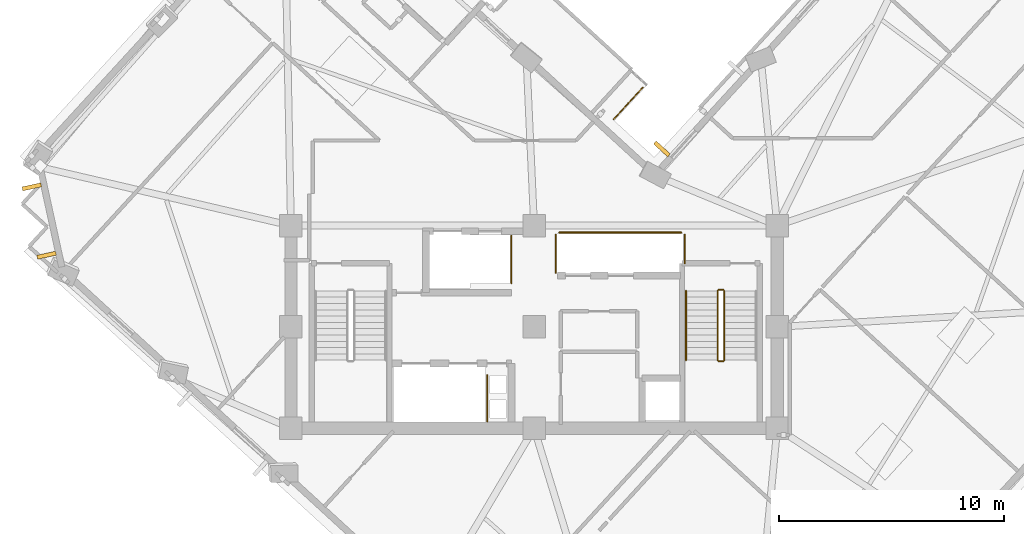
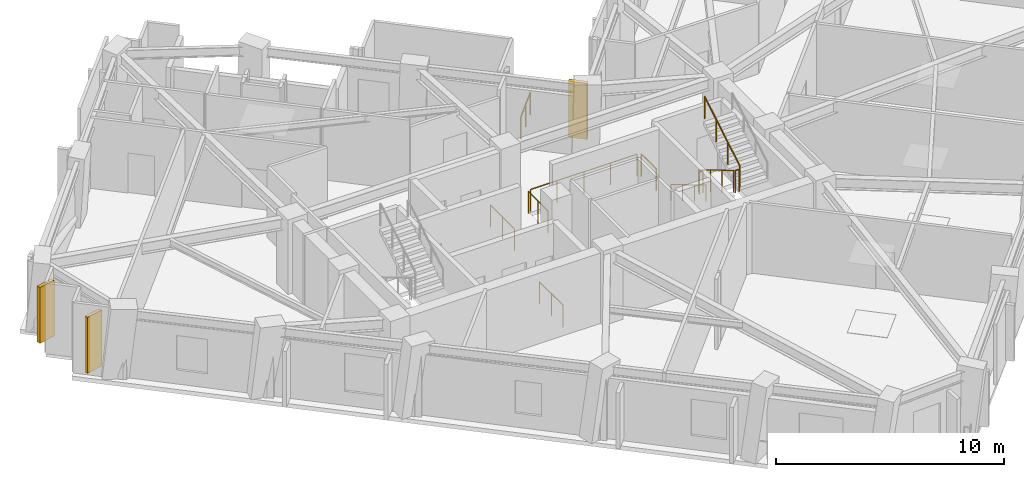
# One storey, part 10 of 12: 11 railings, 3 shading devices.
"""IFC4 building model written with IfcOpenShell, lengths in metres."""

import ifcopenshell
import ifcopenshell.guid

model = None  # the IFC model being written
_history = None  # IfcOwnerHistory: only IFC2X3 demands one
_inside = {}  # id of a spatial element -> (the spatial element, [elements in it])
_under = {}  # id of a project, library or spatial element -> (it, [spatial elements below it])
_declared = {}  # id of a project -> (the project, [libraries it declares])
_typed = {}  # id of a type object -> (the type object, [elements of that type])
_made_of = {}  # id of a material, layer set ... -> (it, [elements and type objects made of it])


def new_model(schema):
    """Start an empty IFC model of exactly this schema.

    Asked for "IFC4X3", IfcOpenShell would pick the latest addendum, in which some entities
    have other attributes; the version numbers below select the first issue.
    IFC2X3 requires an IfcOwnerHistory on every rooted entity: one is made here for all.
    """
    global model, _history
    if schema == "IFC4X3":
        model = ifcopenshell.file(schema_version=(4, 3, 0, 0))
    else:
        model = ifcopenshell.file(schema=schema)
    _inside.clear()
    _under.clear()
    _declared.clear()
    _typed.clear()
    _made_of.clear()
    _history = None
    if model.schema == "IFC2X3":
        org = make("IfcOrganization", Name="unknown")
        user = make(
            "IfcPersonAndOrganization",
            ThePerson=make("IfcPerson", FamilyName="unknown"),
            TheOrganization=org,
        )
        app = make(
            "IfcApplication",
            ApplicationDeveloper=org,
            Version="unknown",
            ApplicationFullName="unknown",
            ApplicationIdentifier="unknown",
        )
        _history = make(
            "IfcOwnerHistory",
            OwningUser=user,
            OwningApplication=app,
            ChangeAction="ADDED",
            CreationDate=0,
        )
    return model


def make(cls, **values):
    """One entity of the class cls with the attributes given. An attribute that is None is left unset."""
    return model.create_entity(
        cls, **{name: value for name, value in values.items() if value is not None}
    )


def rooted(cls, **values):
    """An entity with a GlobalId (a new one), such as an element, a storey or a relation."""
    return make(cls, GlobalId=ifcopenshell.guid.new(), OwnerHistory=_history, **values)


def si_unit(unit_type, name, prefix=None):
    """IfcSIUnit, for example si_unit("LENGTHUNIT", "METRE", prefix="MILLI")."""
    return make("IfcSIUnit", UnitType=unit_type, Prefix=prefix, Name=name)


def assignment(units):
    """IfcUnitAssignment: the units of a project."""
    return None if units is None else make("IfcUnitAssignment", Units=units)


def point(xyz):
    """IfcCartesianPoint."""
    return None if xyz is None else make("IfcCartesianPoint", Coordinates=xyz)


def direction(xyz):
    """IfcDirection."""
    return None if xyz is None else make("IfcDirection", DirectionRatios=xyz)


def frame(location, z_axis=None, x_axis=None):
    """IfcAxis2Placement3D, a coordinate frame: its origin and axes. An axis left out is left unset."""
    return make(
        "IfcAxis2Placement3D",
        Location=point(location),
        Axis=direction(z_axis),
        RefDirection=direction(x_axis),
    )


def frame_2d(location, x_axis=None):
    """IfcAxis2Placement2D, a coordinate frame in the plane: its origin and x axis."""
    return make(
        "IfcAxis2Placement2D", Location=point(location), RefDirection=direction(x_axis)
    )


def origin():
    """The frame at (0, 0, 0) with its axes left unset."""
    return frame((0.0, 0.0, 0.0))


def origin_2d():
    """The frame at (0, 0) in the plane with its x axis left unset."""
    return frame_2d((0.0, 0.0))


def place(relative_to, where):
    """IfcLocalPlacement: puts the frame where relative to a parent placement (None: the world)."""
    return make(
        "IfcLocalPlacement", PlacementRelTo=relative_to, RelativePlacement=where
    )


def context(
    kind, dimensions, precision=None, world=None, true_north=None, identifier=None
):
    """IfcGeometricRepresentationContext, for example the 3D "Model" context."""
    return make(
        "IfcGeometricRepresentationContext",
        ContextIdentifier=identifier,
        ContextType=kind,
        CoordinateSpaceDimension=dimensions,
        Precision=precision,
        WorldCoordinateSystem=world,
        TrueNorth=true_north,
    )


def subcontext(parent, identifier, kind, view, scale=None):
    """IfcGeometricRepresentationSubContext, for example "Body" below "Model"."""
    return make(
        "IfcGeometricRepresentationSubContext",
        ContextIdentifier=identifier,
        ContextType=kind,
        ParentContext=parent,
        TargetScale=scale,
        TargetView=view,
    )


def project(units=None, contexts=None):
    """IfcProject with its units and contexts."""
    return rooted(
        "IfcProject",
        Name="project",
        RepresentationContexts=contexts,
        UnitsInContext=assignment(units),
    )


def spatial(cls, under=None, at=None, **own):
    """A site, building, storey or space (cls), placed at a placement, below another one or the project."""
    s = rooted(cls, ObjectPlacement=at, **own)
    if under is not None:
        _under.setdefault(under.id(), (under, []))[1].append(s)
    return s


def profile(cls, at=None, kind="AREA", **sizes):
    """A parametric profile (cls). Its sizes go by their IFC names, for example OverallWidth=200.0."""
    return make(cls, ProfileType=kind, Position=at, **sizes)


def rectangle(**sizes):
    """IfcRectangleProfileDef."""
    return profile("IfcRectangleProfileDef", **sizes)


def circle(**sizes):
    """IfcCircleProfileDef."""
    return profile("IfcCircleProfileDef", **sizes)


def extrude(swept, where, along, depth):
    """IfcExtrudedAreaSolid: the profile swept, set in the frame where, extruded along a direction by depth."""
    return make(
        "IfcExtrudedAreaSolid",
        SweptArea=swept,
        Position=where,
        ExtrudedDirection=direction(along),
        Depth=depth,
    )


def shape(context_of_items, identifier, shape_type, items):
    """IfcShapeRepresentation: the items that make up one representation, for example the "Body"."""
    return make(
        "IfcShapeRepresentation",
        ContextOfItems=context_of_items,
        RepresentationIdentifier=identifier,
        RepresentationType=shape_type,
        Items=items,
    )


def material(Name=None, Category=None):
    """IfcMaterial."""
    return make("IfcMaterial", Name=Name, Category=Category)


def layer(
    of_material, thickness, ventilated=None, Name=None, Category=None, Priority=None
):
    """IfcMaterialLayer: one layer of a wall or slab, of a material (None: an air gap)."""
    return make(
        "IfcMaterialLayer",
        Material=of_material,
        LayerThickness=thickness,
        IsVentilated=ventilated,
        Name=Name,
        Category=Category,
        Priority=Priority,
    )


def layer_set(layers, Name=None):
    """IfcMaterialLayerSet."""
    return make("IfcMaterialLayerSet", MaterialLayers=layers, LayerSetName=Name)


def made_of(thing, what):
    """Note that an element or type object is made of a material, layer set ...; save() writes the relation."""
    if what is not None:
        _made_of.setdefault(what.id(), (what, []))[1].append(thing)
    return thing


def type_object(cls, material=None, **own):
    """A type object (cls), such as IfcWallType, which elements share."""
    return made_of(rooted(cls, **own), material)


def element(
    cls,
    number,
    at=None,
    inside=None,
    cuts=None,
    type_object=None,
    material=None,
    context=None,
    identifier="Body",
    shape_type=None,
    held_by="IfcProductDefinitionShape",
    body=None,
    shapes=None,
    **own,
):
    """One element of the class cls, such as IfcWall. Its Tag is "e" and its number.

    at: its placement. inside: the storey or other place that contains it. cuts: it is an
    opening in that element (IfcRelVoidsElement). A single representation is given by context,
    identifier, shape_type and body (its items); several are given by shapes. held_by: the class
    of the entity that holds the representations. save() writes the other relations.
    """
    e = rooted(cls, Tag="e%d" % number, ObjectPlacement=at, **own)
    if body is not None:
        shapes = [shape(context, identifier, shape_type, body)]
    if shapes is not None:
        e.Representation = make(held_by, Representations=shapes)
    if inside is not None:
        _inside.setdefault(inside.id(), (inside, []))[1].append(e)
    if cuts is not None:
        rooted(
            "IfcRelVoidsElement", RelatingBuildingElement=cuts, RelatedOpeningElement=e
        )
    if type_object is not None:
        _typed.setdefault(type_object.id(), (type_object, []))[1].append(e)
    return made_of(e, material)


def aggregate(whole, parts):
    """IfcRelAggregates: a whole, such as a stair, and the parts it consists of."""
    return rooted("IfcRelAggregates", RelatingObject=whole, RelatedObjects=parts)


def save(model, path):
    """Write the relations noted so far, then the file.

    IfcRelAggregates (storeys below a building ...), IfcRelContainedInSpatialStructure (elements
    in a storey), IfcRelDefinesByType, IfcRelAssociatesMaterial and IfcRelDeclares: one each for
    every whole, place, type object, material and project.
    """
    for whole, parts in _under.values():
        aggregate(whole, parts)
    for where, things in _inside.values():
        rooted(
            "IfcRelContainedInSpatialStructure",
            RelatedElements=things,
            RelatingStructure=where,
        )
    for kind, things in _typed.values():
        rooted("IfcRelDefinesByType", RelatedObjects=things, RelatingType=kind)
    for what, things in _made_of.values():
        rooted("IfcRelAssociatesMaterial", RelatedObjects=things, RelatingMaterial=what)
    for by, libraries in _declared.values():
        rooted("IfcRelDeclares", RelatingContext=by, RelatedDefinitions=libraries)
    model.write(path)


model = new_model("IFC4")

# Units and contexts
model_context = context("Model", 3, precision=1e-05, world=origin(), true_north=direction((0.0, 1.0)))
body_context = subcontext(model_context, "Body", "Model", "MODEL_VIEW")
ifc_project = project(units=[si_unit("LENGTHUNIT", "METRE"), si_unit("AREAUNIT", "SQUARE_METRE"), si_unit("VOLUMEUNIT", "CUBIC_METRE"), si_unit("PLANEANGLEUNIT", "RADIAN"), si_unit("MASSUNIT", "GRAM", prefix="KILO")], contexts=[model_context])

# Site, building, storey
site_placement = place(None, origin())
site = spatial("IfcSite", under=ifc_project, at=site_placement, CompositionType="ELEMENT")
building_placement = place(site_placement, origin())
building = spatial("IfcBuilding", under=site, at=building_placement, Name="Gaonmaruhae Medical Tower", CompositionType="ELEMENT")
storey_placement = place(building_placement, frame((0.0, 0.0, 227.199951171875)))
storey = spatial("IfcBuildingStorey", under=building, at=storey_placement, Name="L54", CompositionType="ELEMENT", Elevation=227.199951171875)

# Railings
ifc_material_1 = material(Name="Stainless steel 316L and laminated safety glass", Category="steel")
ifc_layer = layer(ifc_material_1, 0.080078125)
ifc_layer_set = layer_set([ifc_layer], Name="Stainless steel 316L and laminated safety glass")
railing_type_1 = type_object("IfcRailingType", Name="GD-120 Outdoor Terrace Safety Glass & Steel Balustrade", PredefinedType="BALUSTRADE", material=ifc_layer_set)
railing_1_placement = place(storey_placement, frame((29.626953125, 22.93603515625, 0.0)))
element("IfcRailing", 1, at=railing_1_placement, inside=storey, type_object=railing_type_1, Name="L54 Perimeter Slab Edge Safety Balustrade 09", PredefinedType="BALUSTRADE", context=body_context, shape_type="SweptSolid", body=[
    extrude(circle(Radius=0.02392578125, at=origin_2d()), frame((0.0, 0.0, 1.17578125), z_axis=(-0.675626821672, -0.737243784536, 0.0), x_axis=(0.737243784536, -0.675626821672, 0.0)), (0.0, 0.0, 1.0), 1.921630859375),
    extrude(circle(Radius=0.02099609375, at=origin_2d()), origin(), (0.0, 0.0, 1.0), 1.15185546875),
    extrude(circle(Radius=0.02099609375, at=origin_2d()), frame((-0.649169921875, -0.70849609375, 0.0)), (0.0, 0.0, 1.0), 1.15185546875),
    extrude(circle(Radius=0.02099609375, at=origin_2d()), frame((-1.29833984375, -1.416748046875, 0.0)), (0.0, 0.0, 1.0), 1.15185546875),
])
ifc_material_2 = material(Name="Stainless steel 304 handrail", Category="steel")
railing_type_2 = type_object("IfcRailingType", Name="HR-092 Continuous Stainless Steel Stair Handrail", PredefinedType="HANDRAIL", material=ifc_material_2)
railing_2_placement = place(storey_placement, frame((31.550048828125, 13.89990234375, 0.166748046875)))
element("IfcRailing", 2, at=railing_2_placement, inside=storey, type_object=railing_type_2, Name="L54 ST-02 stair handrail 1", PredefinedType="HANDRAIL", context=body_context, shape_type="SweptSolid", body=[
    extrude(circle(Radius=0.02392578125, at=origin_2d()), frame((0.0, 0.0, 0.8759765625), z_axis=(0.0, -0.859290745958, 0.51148745235), x_axis=(1.0, 0.0, 0.0)), (0.0, 0.0, 1.0), 3.584228515625),
    extrude(circle(Radius=0.02099609375, at=origin_2d()), origin(), (0.0, 0.0, 1.0), 0.851806640625),
    extrude(circle(Radius=0.02099609375, at=origin_2d()), frame((0.0, -1.026611328125, 0.611083984375)), (0.0, 0.0, 1.0), 0.851806640625),
    extrude(circle(Radius=0.02099609375, at=origin_2d()), frame((0.0, -2.05322265625, 1.22216796875)), (0.0, 0.0, 1.0), 0.851806640625),
    extrude(circle(Radius=0.02099609375, at=origin_2d()), frame((0.0, -3.079833984375, 1.833251953125)), (0.0, 0.0, 1.0), 0.851806640625),
])

# Shading devices
ifc_material_3 = material(Name="Pigmented coral precast concrete C45/55", Category="concrete")
shading_device_type = type_object("IfcShadingDeviceType", Name="SD-FIN1 Tower Vertical Coral Precast Shading Fin", PredefinedType="USERDEFINED", material=ifc_material_3)
for number, where, z_axis, x_axis, name in (
    (3, (30.4814453125, 20.205078125, 0.132568359375), (0.0, 0.0, 1.0), (0.675590207616, 0.73727733681, 0.0), "L54 Vertical Coral Precast Shading Fin EN02"),
    (4, (3.148193359375, 15.48486328125, 0.132568359375), (0.0, 0.0, 1.0), (-0.212740481645, 0.977108738816, 0.0), "L54 Vertical Coral Precast Shading Fin N03"),
    (5, (2.487060546875, 18.521728515625, 0.132568359375), (0.0, 0.0, 1.0), (-0.212740481645, 0.977108738816, 0.0), "L54 Vertical Coral Precast Shading Fin N03B"),
):
    element("IfcShadingDevice", number, at=place(storey_placement, frame(where, z_axis=z_axis, x_axis=x_axis)), inside=storey, type_object=shading_device_type, Name=name, ObjectType="FIN", PredefinedType="USERDEFINED", context=body_context, shape_type="SweptSolid", body=[
        extrude(rectangle(XDim=0.179931640625, YDim=0.85009765625, at=origin_2d()), origin(), (0.0, 0.0, 1.0), 3.0),
    ])

# Railings
ifc_material_4 = material(Name="Stainless steel 304 balustrade", Category="steel")
railing_type_3 = type_object("IfcRailingType", Name="SG-112 Stair Well & Ramp Void Safety Balustrade", PredefinedType="BALUSTRADE", material=ifc_material_4)
railing_3_placement = place(storey_placement, frame((32.949951171875, 13.89990234375, 0.166748046875)))
element("IfcRailing", 6, at=railing_3_placement, inside=storey, type_object=railing_type_3, Name="L54 ST-02 stair guard 1", PredefinedType="BALUSTRADE", context=body_context, shape_type="SweptSolid", body=[
    extrude(circle(Radius=0.02392578125, at=origin_2d()), frame((0.0, 0.0, 1.17578125), z_axis=(0.0, -0.859290745958, 0.51148745235), x_axis=(1.0, 0.0, 0.0)), (0.0, 0.0, 1.0), 3.584228515625),
    extrude(circle(Radius=0.02099609375, at=origin_2d()), origin(), (0.0, 0.0, 1.0), 1.15185546875),
    extrude(circle(Radius=0.02099609375, at=origin_2d()), frame((0.0, -1.026611328125, 0.611083984375)), (0.0, 0.0, 1.0), 1.15185546875),
    extrude(circle(Radius=0.02099609375, at=origin_2d()), frame((0.0, -2.05322265625, 1.22216796875)), (0.0, 0.0, 1.0), 1.15185546875),
    extrude(circle(Radius=0.02099609375, at=origin_2d()), frame((0.0, -3.079833984375, 1.833251953125)), (0.0, 0.0, 1.0), 1.15185546875),
])
railing_4_placement = place(storey_placement, frame((33.0, 10.77001953125, 2.0)))
element("IfcRailing", 7, at=railing_4_placement, inside=storey, type_object=railing_type_3, Name="L54 ST-02 stair guard 2", PredefinedType="BALUSTRADE", context=body_context, shape_type="SweptSolid", body=[
    extrude(circle(Radius=0.02392578125, at=origin_2d()), frame((0.0, 0.0, 1.17578125), z_axis=(1.0, 0.0, 0.0), x_axis=(0.0, 1.0, 0.0)), (0.0, 0.0, 1.0), 0.199951171875),
    extrude(circle(Radius=0.02099609375, at=origin_2d()), origin(), (0.0, 0.0, 1.0), 1.15185546875),
    extrude(circle(Radius=0.02099609375, at=origin_2d()), frame((0.199951171875, 0.0, 0.0)), (0.0, 0.0, 1.0), 1.15185546875),
])
railing_5_placement = place(storey_placement, frame((33.25, 10.820068359375, 2.166748046875)))
element("IfcRailing", 8, at=railing_5_placement, inside=storey, type_object=railing_type_3, Name="L54 ST-02 stair guard 3", PredefinedType="BALUSTRADE", context=body_context, shape_type="SweptSolid", body=[
    extrude(circle(Radius=0.02392578125, at=origin_2d()), frame((0.0, 0.0, 1.17578125), z_axis=(0.0, 0.859290745958, 0.51148745235), x_axis=(-1.0, 0.0, 0.0)), (0.0, 0.0, 1.0), 3.584228515625),
    extrude(circle(Radius=0.02099609375, at=origin_2d()), origin(), (0.0, 0.0, 1.0), 1.15185546875),
    extrude(circle(Radius=0.02099609375, at=origin_2d()), frame((0.0, 1.026611328125, 0.611083984375)), (0.0, 0.0, 1.0), 1.15185546875),
    extrude(circle(Radius=0.02099609375, at=origin_2d()), frame((0.0, 2.05322265625, 1.22216796875)), (0.0, 0.0, 1.0), 1.15185546875),
    extrude(circle(Radius=0.02099609375, at=origin_2d()), frame((0.0, 3.079833984375, 1.833251953125)), (0.0, 0.0, 1.0), 1.15185546875),
])
railing_6_placement = place(storey_placement, frame((33.0, 13.949951171875, 0.0)))
element("IfcRailing", 9, at=railing_6_placement, inside=storey, type_object=railing_type_3, Name="L54 ST-02 stair guard 4", PredefinedType="BALUSTRADE", context=body_context, shape_type="SweptSolid", body=[
    extrude(circle(Radius=0.02392578125, at=origin_2d()), frame((0.0, 0.0, 1.17578125), z_axis=(1.0, 0.0, 0.0), x_axis=(0.0, 1.0, 0.0)), (0.0, 0.0, 1.0), 0.199951171875),
    extrude(circle(Radius=0.02099609375, at=origin_2d()), origin(), (0.0, 0.0, 1.0), 1.15185546875),
    extrude(circle(Radius=0.02099609375, at=origin_2d()), frame((0.199951171875, 0.0, 0.0)), (0.0, 0.0, 1.0), 1.15185546875),
])
railing_7_placement = place(storey_placement, frame((22.719970703125, 10.159912109375, 0.0)))
element("IfcRailing", 10, at=railing_7_placement, inside=storey, type_object=railing_type_3, Name="L54 Shaft Edge Safety Guard 12", PredefinedType="BALUSTRADE", context=body_context, shape_type="SweptSolid", body=[
    extrude(circle(Radius=0.02392578125, at=origin_2d()), frame((0.0, 0.0, 1.17578125), z_axis=(0.0, -1.0, 0.0), x_axis=(1.0, 0.0, 0.0)), (0.0, 0.0, 1.0), 2.06494140625),
    extrude(circle(Radius=0.02099609375, at=origin_2d()), origin(), (0.0, 0.0, 1.0), 1.15185546875),
    extrude(circle(Radius=0.02099609375, at=origin_2d()), frame((0.0, -1.032470703125, 0.0)), (0.0, 0.0, 1.0), 1.15185546875),
    extrude(circle(Radius=0.02099609375, at=origin_2d()), frame((0.0, -2.06494140625, 0.0)), (0.0, 0.0, 1.0), 1.15185546875),
])
railing_8_placement = place(storey_placement, frame((23.794921875, 16.35498046875, 0.0)))
element("IfcRailing", 11, at=railing_8_placement, inside=storey, type_object=railing_type_3, Name="L54 Shaft Edge Safety Guard 13", PredefinedType="BALUSTRADE", context=body_context, shape_type="SweptSolid", body=[
    extrude(circle(Radius=0.02392578125, at=origin_2d()), frame((0.0, 0.0, 1.17578125), z_axis=(0.0, -1.0, 0.0), x_axis=(1.0, 0.0, 0.0)), (0.0, 0.0, 1.0), 2.10986328125),
    extrude(circle(Radius=0.02099609375, at=origin_2d()), origin(), (0.0, 0.0, 1.0), 1.15185546875),
    extrude(circle(Radius=0.02099609375, at=origin_2d()), frame((0.0, -1.054931640625, 0.0)), (0.0, 0.0, 1.0), 1.15185546875),
    extrude(circle(Radius=0.02099609375, at=origin_2d()), frame((0.0, -2.10986328125, 0.0)), (0.0, 0.0, 1.0), 1.15185546875),
])
railing_9_placement = place(storey_placement, frame((31.4951171875, 16.405029296875, 0.0)))
element("IfcRailing", 12, at=railing_9_placement, inside=storey, type_object=railing_type_3, Name="L54 Shaft Edge Safety Guard 14", PredefinedType="BALUSTRADE", context=body_context, shape_type="SweptSolid", body=[
    extrude(circle(Radius=0.02392578125, at=origin_2d()), frame((0.0, 0.0, 1.17578125), z_axis=(0.0, -1.0, 0.0), x_axis=(1.0, 0.0, 0.0)), (0.0, 0.0, 1.0), 1.284912109375),
    extrude(circle(Radius=0.02099609375, at=origin_2d()), origin(), (0.0, 0.0, 1.0), 1.15185546875),
    extrude(circle(Radius=0.02099609375, at=origin_2d()), frame((0.0, -1.284912109375, 0.0)), (0.0, 0.0, 1.0), 1.15185546875),
])
railing_10_placement = place(storey_placement, frame((25.7548828125, 14.695068359375, 0.0)))
element("IfcRailing", 13, at=railing_10_placement, inside=storey, type_object=railing_type_3, Name="L54 Shaft Edge Safety Guard 15", PredefinedType="BALUSTRADE", context=body_context, shape_type="SweptSolid", body=[
    extrude(circle(Radius=0.02392578125, at=origin_2d()), frame((0.0, 0.0, 1.17578125), z_axis=(0.0, 1.0, 0.0), x_axis=(-1.0, 0.0, 0.0)), (0.0, 0.0, 1.0), 1.7099609375),
    extrude(circle(Radius=0.02099609375, at=origin_2d()), origin(), (0.0, 0.0, 1.0), 1.15185546875),
    extrude(circle(Radius=0.02099609375, at=origin_2d()), frame((0.0, 0.85498046875, 0.0)), (0.0, 0.0, 1.0), 1.15185546875),
    extrude(circle(Radius=0.02099609375, at=origin_2d()), frame((0.0, 1.7099609375, 0.0)), (0.0, 0.0, 1.0), 1.15185546875),
])
railing_11_placement = place(storey_placement, frame((25.919921875, 16.4951171875, 0.0)))
element("IfcRailing", 14, at=railing_11_placement, inside=storey, type_object=railing_type_3, Name="L54 Shaft Edge Safety Guard 16", PredefinedType="BALUSTRADE", context=body_context, shape_type="SweptSolid", body=[
    extrude(circle(Radius=0.02392578125, at=origin_2d()), frame((0.0, 0.0, 1.17578125), z_axis=(1.0, 0.0, 0.0), x_axis=(0.0, 1.0, 0.0)), (0.0, 0.0, 1.0), 5.41015625),
    extrude(circle(Radius=0.02099609375, at=origin_2d()), origin(), (0.0, 0.0, 1.0), 1.15185546875),
    extrude(circle(Radius=0.02099609375, at=origin_2d()), frame((1.3525390625, 0.0, 0.0)), (0.0, 0.0, 1.0), 1.15185546875),
    extrude(circle(Radius=0.02099609375, at=origin_2d()), frame((2.705078125, 0.0, 0.0)), (0.0, 0.0, 1.0), 1.15185546875),
    extrude(circle(Radius=0.02099609375, at=origin_2d()), frame((4.0576171875, 0.0, 0.0)), (0.0, 0.0, 1.0), 1.15185546875),
    extrude(circle(Radius=0.02099609375, at=origin_2d()), frame((5.41015625, 0.0, 0.0)), (0.0, 0.0, 1.0), 1.15185546875),
])

save(model, "model.ifc")
